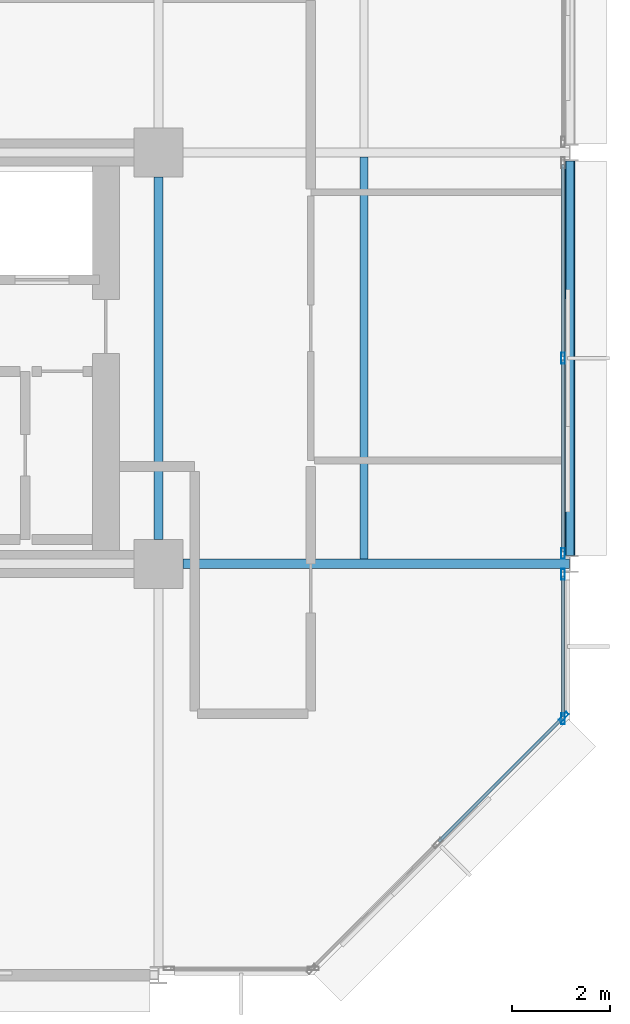
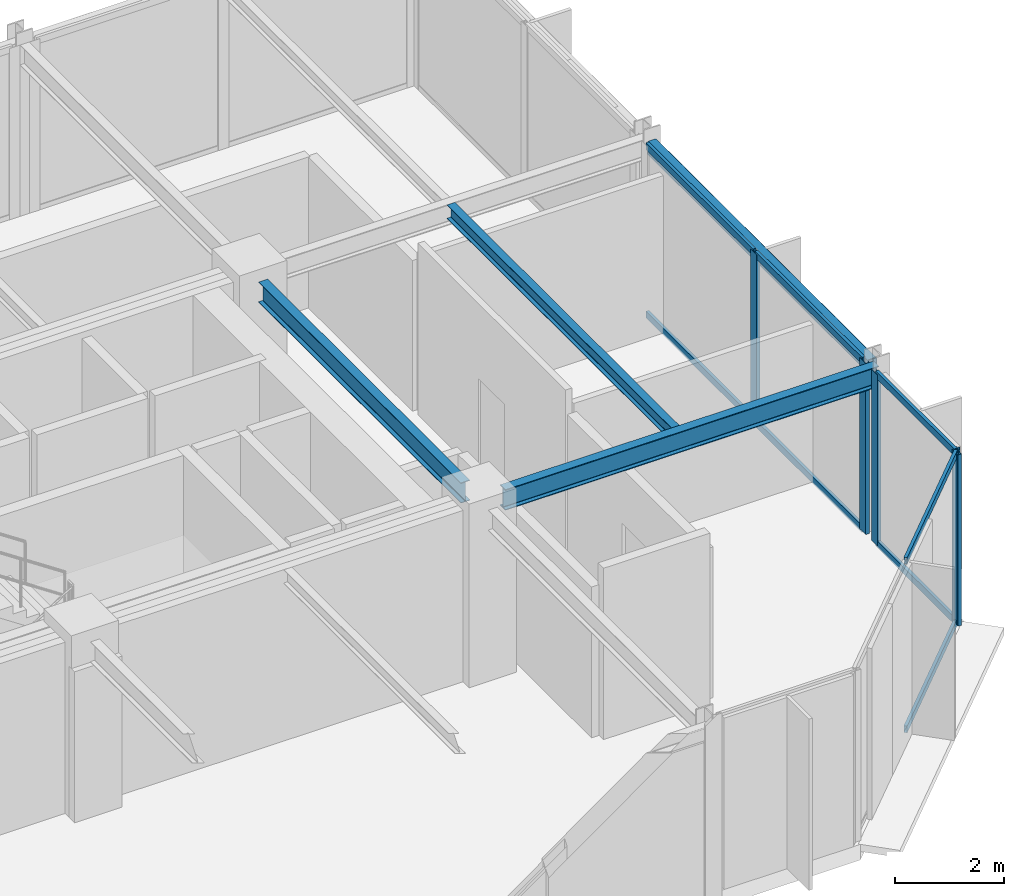
# One storey, part 8 of 21: 13 members, 4 beams, 3 elements without a shape of their own.
"""IFC4 building model written with IfcOpenShell, lengths in metres."""

from ifc_helpers import new_model, si_unit, direction, frame, origin, origin_2d, place, context, subcontext, project, spatial, hollow_rectangle, i_section, extrude, material, layer, layer_set, material_profile, profile_set, type_object, element, aggregate, save


model = new_model("IFC4")

# Units and contexts
model_context = context("Model", 3, precision=1e-05, world=origin(), true_north=direction((0.0, 1.0)))
body_context = subcontext(model_context, "Body", "Model", "MODEL_VIEW")
ifc_project = project(units=[si_unit("LENGTHUNIT", "METRE"), si_unit("AREAUNIT", "SQUARE_METRE"), si_unit("VOLUMEUNIT", "CUBIC_METRE"), si_unit("PLANEANGLEUNIT", "RADIAN"), si_unit("MASSUNIT", "GRAM", prefix="KILO")], contexts=[model_context])

# Site, building, storey
site_placement = place(None, origin())
site = spatial("IfcSite", under=ifc_project, at=site_placement, CompositionType="ELEMENT")
building_placement = place(site_placement, origin())
building = spatial("IfcBuilding", under=site, at=building_placement, Name="Nerrivon Quay Data Exchange", CompositionType="ELEMENT")
storey_placement = place(building_placement, frame((0.0, 0.0, 220.60009765625)))
storey = spatial("IfcBuildingStorey", under=building, at=storey_placement, Name="L52", CompositionType="ELEMENT", Elevation=220.60009765625)

# Beams
ifc_material_1 = material(Name="Steel Grade 350", Category="steel")
ifc_material_profile_1 = material_profile(ifc_material_1, i_section(OverallWidth=0.19091796875, OverallDepth=0.4599609375, WebThickness=0.010009765625, FlangeThickness=0.01611328125, FilletRadius=0.011474609375, at=origin_2d()), Name="460UB82.1")
ifc_profile_set_1 = profile_set([ifc_material_profile_1], Name="Steel Grade 350")
beam_type_1 = type_object("IfcBeamType", Name="BM-G5-460UB82", PredefinedType="BEAM", material=ifc_profile_set_1)
beam_1_placement = place(storey_placement, frame((34.10009765625, 8.39990234375, 3.594970703125), z_axis=(1.0, 0.0, 0.0), x_axis=(0.0, 1.0, 0.0)))
element("IfcBeam", 1, at=beam_1_placement, inside=storey, type_object=beam_type_1, Name="L52 EW Girder Y=8.4 (33.6..42.0)", PredefinedType="BEAM", context=body_context, shape_type="SweptSolid", body=[
    extrude(i_section(OverallWidth=0.19091796875, OverallDepth=0.4599609375, WebThickness=0.010009765625, FlangeThickness=0.01611328125, FilletRadius=0.011474609375, at=origin_2d()), origin(), (0.0, 0.0, 1.0), 7.889892578125),
])
ifc_material_profile_2 = material_profile(ifc_material_1, i_section(OverallWidth=0.18994140625, OverallDepth=0.4541015625, WebThickness=0.008544921875, FlangeThickness=0.0126953125, FilletRadius=0.011474609375, at=origin_2d()), Name="460UB67.1")
ifc_profile_set_2 = profile_set([ifc_material_profile_2], Name="Steel Grade 350")
beam_type_2 = type_object("IfcBeamType", Name="BM-G6-460UB67", PredefinedType="BEAM", material=ifc_profile_set_2)
beam_2_placement = place(storey_placement, frame((33.60009765625, 8.89990234375, 3.597900390625), z_axis=(0.0, 1.0, 0.0), x_axis=(-1.0, 0.0, 0.0)))
element("IfcBeam", 2, at=beam_2_placement, inside=storey, type_object=beam_type_2, Name="L52 NS Girder X=33.6 (8.4..16.8)", PredefinedType="BEAM", context=body_context, shape_type="SweptSolid", body=[
    extrude(i_section(OverallWidth=0.18994140625, OverallDepth=0.4541015625, WebThickness=0.008544921875, FlangeThickness=0.0126953125, FilletRadius=0.011474609375, at=origin_2d()), origin(), (0.0, 0.0, 1.0), 7.400146484375),
])
ifc_material_profile_3 = material_profile(ifc_material_1, i_section(OverallWidth=0.166015625, OverallDepth=0.306884765625, WebThickness=0.006591796875, FlangeThickness=0.01171875, FilletRadius=0.011474609375, at=origin_2d()), Name="310UB46.2")
ifc_profile_set_3 = profile_set([ifc_material_profile_3], Name="Steel Grade 350")
beam_type_3 = type_object("IfcBeamType", Name="BM-J5-310UB46", PredefinedType="JOIST", material=ifc_profile_set_3)
beam_3_placement = place(storey_placement, frame((37.800048828125, 8.49560546875, 3.67138671875), z_axis=(0.0, 1.0, 0.0), x_axis=(-1.0, 0.0, 0.0)))
element("IfcBeam", 3, at=beam_3_placement, inside=storey, type_object=beam_type_3, Name="L52 Secondary Joist X=37.8 (8.4..16.8)", PredefinedType="JOIST", context=body_context, shape_type="SweptSolid", body=[
    extrude(i_section(OverallWidth=0.166015625, OverallDepth=0.306884765625, WebThickness=0.006591796875, FlangeThickness=0.01171875, FilletRadius=0.011474609375, at=origin_2d()), origin(), (0.0, 0.0, 1.0), 8.208984375),
])
ifc_material_2 = material(Name="Steel Grade C350L0 (350 MPa)", Category="steel")
ifc_material_profile_4 = material_profile(ifc_material_2, hollow_rectangle(XDim=0.199951171875, YDim=0.300048828125, WallThickness=0.012451171875, InnerFilletRadius=0.018798828125, OuterFilletRadius=0.03125, at=origin_2d()), Name="300x200x12.5RHS")
ifc_profile_set_4 = profile_set([ifc_material_profile_4], Name="Steel Grade C350L0 (350 MPa)")
beam_type_4 = type_object("IfcBeamType", Name="BM-SP3-300x200RHS", PredefinedType="SPANDREL", material=ifc_profile_set_4)
beam_4_placement = place(storey_placement, frame((42.0, 8.574951171875, 3.6748046875), z_axis=(0.0, 1.0, 0.0), x_axis=(-1.0, 0.0, 0.0)))
element("IfcBeam", 4, at=beam_4_placement, inside=storey, type_object=beam_type_4, Name="L52 NS Girder X=42.0 (8.4..16.8)", PredefinedType="SPANDREL", context=body_context, shape_type="SweptSolid", body=[
    extrude(hollow_rectangle(XDim=0.199951171875, YDim=0.300048828125, WallThickness=0.012451171875, InnerFilletRadius=0.018798828125, OuterFilletRadius=0.03125, at=origin_2d()), origin(), (0.0, 0.0, 1.0), 8.050048828125),
])

# Curtain wall, member
ifc_material_3 = material(Name="Anodised aluminium 6063-T6", Category="aluminium")
ifc_layer = layer(ifc_material_3, 0.22998046875)
ifc_layer_set = layer_set([ifc_layer], Name="Anodised aluminium 6063-T6")
curtain_wall_type = type_object("IfcCurtainWallType", Name="CW-SYS-05", PredefinedType="NOTDEFINED", material=ifc_layer_set)
curtain_wall_1_placement = place(storey_placement, origin())
curtain_wall_1 = element("IfcCurtainWall", 5, at=curtain_wall_1_placement, inside=storey, type_object=curtain_wall_type, Name="L52 Unitised Curtain Wall 1", PredefinedType="NOTDEFINED")
ifc_material_profile_5 = material_profile(ifc_material_3, hollow_rectangle(XDim=0.074951171875, YDim=0.219970703125, WallThickness=0.00390625, at=origin_2d()), Name="ALU-MULL-220x75")
ifc_profile_set_5 = profile_set([ifc_material_profile_5], Name="Anodised aluminium 6063-T6")
member_type_1 = type_object("IfcMemberType", Name="CWM-220x75", PredefinedType="MULLION", material=ifc_profile_set_5)
member_1_placement = place(storey_placement, frame((41.87451171875, 5.2724609375, 0.0), z_axis=(0.0, 0.0, 1.0), x_axis=(0.707106781187, -0.707106781187, 0.0)))
member_1 = element("IfcMember", 6, at=member_1_placement, type_object=member_type_1, Name="CW05 mullion 1", PredefinedType="MULLION", context=body_context, shape_type="SweptSolid", body=[
    extrude(hollow_rectangle(XDim=0.074951171875, YDim=0.219970703125, WallThickness=0.00390625, at=origin_2d()), origin(), (0.0, 0.0, 1.0), 3.824951171875),
])

# Curtain wall, members
curtain_wall_2_placement = place(storey_placement, origin())
curtain_wall_2 = element("IfcCurtainWall", 7, at=curtain_wall_2_placement, inside=storey, type_object=curtain_wall_type, Name="L52 Unitised Curtain Wall 27", PredefinedType="NOTDEFINED")
member_2_placement = place(storey_placement, frame((41.860107421875, 12.60009765625, 0.0), z_axis=(0.0, 0.0, 1.0), x_axis=(1.0, 0.0, 0.0)))
member_2 = element("IfcMember", 8, at=member_2_placement, type_object=member_type_1, Name="CW05 mullion 2", PredefinedType="MULLION", context=body_context, shape_type="SweptSolid", body=[
    extrude(hollow_rectangle(XDim=0.074951171875, YDim=0.219970703125, WallThickness=0.00390625, at=origin_2d()), origin(), (0.0, 0.0, 1.0), 3.824951171875),
])
member_3_placement = place(storey_placement, frame((41.860107421875, 8.612548828125, 0.0), z_axis=(0.0, 0.0, 1.0), x_axis=(1.0, 0.0, 0.0)))
member_3 = element("IfcMember", 9, at=member_3_placement, type_object=member_type_1, Name="CW05 mullion 3", PredefinedType="MULLION", context=body_context, shape_type="SweptSolid", body=[
    extrude(hollow_rectangle(XDim=0.074951171875, YDim=0.219970703125, WallThickness=0.00390625, at=origin_2d()), origin(), (0.0, 0.0, 1.0), 3.824951171875),
])

curtain_wall_3_placement = place(storey_placement, origin())
curtain_wall_3 = element("IfcCurtainWall", 10, at=curtain_wall_3_placement, inside=storey, type_object=curtain_wall_type, Name="L52 Unitised Curtain Wall 28", PredefinedType="NOTDEFINED")
member_4_placement = place(storey_placement, frame((41.860107421875, 8.1875, 0.0), z_axis=(0.0, 0.0, 1.0), x_axis=(1.0, 0.0, 0.0)))
member_4 = element("IfcMember", 11, at=member_4_placement, type_object=member_type_1, Name="CW05 mullion 1", PredefinedType="MULLION", context=body_context, shape_type="SweptSolid", body=[
    extrude(hollow_rectangle(XDim=0.074951171875, YDim=0.219970703125, WallThickness=0.00390625, at=origin_2d()), origin(), (0.0, 0.0, 1.0), 3.824951171875),
])
member_5_placement = place(storey_placement, frame((41.860107421875, 5.237548828125, 0.0), z_axis=(0.0, 0.0, 1.0), x_axis=(1.0, 0.0, 0.0)))
member_5 = element("IfcMember", 12, at=member_5_placement, type_object=member_type_1, Name="CW05 mullion 2", PredefinedType="MULLION", context=body_context, shape_type="SweptSolid", body=[
    extrude(hollow_rectangle(XDim=0.074951171875, YDim=0.219970703125, WallThickness=0.00390625, at=origin_2d()), origin(), (0.0, 0.0, 1.0), 3.824951171875),
])

# Member
ifc_material_profile_6 = material_profile(ifc_material_3, hollow_rectangle(XDim=0.06494140625, YDim=0.14990234375, WallThickness=0.00341796875, at=origin_2d()), Name="ALU-TRAN-150x65")
ifc_profile_set_6 = profile_set([ifc_material_profile_6], Name="Anodised aluminium 6063-T6")
member_type_2 = type_object("IfcMemberType", Name="CWT-150x65", PredefinedType="USERDEFINED", material=ifc_profile_set_6)
member_6_placement = place(storey_placement, frame((41.847900390625, 5.245849609375, 0.032470703125), z_axis=(-0.707106781187, -0.707106781187, 0.0), x_axis=(0.707106781187, -0.707106781187, 0.0)))
member_6 = element("IfcMember", 13, at=member_6_placement, type_object=member_type_2, Name="CW05 transom 1.1", ObjectType="TRANSOM", PredefinedType="USERDEFINED", context=body_context, shape_type="SweptSolid", body=[
    extrude(hollow_rectangle(XDim=0.06494140625, YDim=0.14990234375, WallThickness=0.00341796875, at=origin_2d()), origin(), (0.0, 0.0, 1.0), 3.564208984375),
])

member_7_placement = place(storey_placement, frame((41.847900390625, 5.245849609375, 3.79248046875), z_axis=(-0.707106781187, -0.707106781187, 0.0), x_axis=(0.707106781187, -0.707106781187, 0.0)))
member_7 = element("IfcMember", 14, at=member_7_placement, type_object=member_type_2, Name="CW05 transom 1.2", ObjectType="TRANSOM", PredefinedType="USERDEFINED", context=body_context, shape_type="SweptSolid", body=[
    extrude(hollow_rectangle(XDim=0.06494140625, YDim=0.14990234375, WallThickness=0.00341796875, at=origin_2d()), origin(), (0.0, 0.0, 1.0), 3.564208984375),
])

aggregate(curtain_wall_1, [member_1, member_6, member_7])

member_8_placement = place(storey_placement, frame((41.860107421875, 16.550048828125, 0.032470703125), z_axis=(0.0, -1.0, 0.0), x_axis=(1.0, 0.0, 0.0)))
member_8 = element("IfcMember", 15, at=member_8_placement, type_object=member_type_2, Name="CW05 transom 1.1", ObjectType="TRANSOM", PredefinedType="USERDEFINED", context=body_context, shape_type="SweptSolid", body=[
    extrude(hollow_rectangle(XDim=0.06494140625, YDim=0.14990234375, WallThickness=0.00341796875, at=origin_2d()), origin(), (0.0, 0.0, 1.0), 3.91259765625),
])

member_9_placement = place(storey_placement, frame((41.860107421875, 16.550048828125, 3.79248046875), z_axis=(0.0, -1.0, 0.0), x_axis=(1.0, 0.0, 0.0)))
member_9 = element("IfcMember", 16, at=member_9_placement, type_object=member_type_2, Name="CW05 transom 1.2", ObjectType="TRANSOM", PredefinedType="USERDEFINED", context=body_context, shape_type="SweptSolid", body=[
    extrude(hollow_rectangle(XDim=0.06494140625, YDim=0.14990234375, WallThickness=0.00341796875, at=origin_2d()), origin(), (0.0, 0.0, 1.0), 3.91259765625),
])

member_10_placement = place(storey_placement, frame((41.860107421875, 12.5625, 0.032470703125), z_axis=(0.0, -1.0, 0.0), x_axis=(1.0, 0.0, 0.0)))
member_10 = element("IfcMember", 17, at=member_10_placement, type_object=member_type_2, Name="CW05 transom 2.1", ObjectType="TRANSOM", PredefinedType="USERDEFINED", context=body_context, shape_type="SweptSolid", body=[
    extrude(hollow_rectangle(XDim=0.06494140625, YDim=0.14990234375, WallThickness=0.00341796875, at=origin_2d()), origin(), (0.0, 0.0, 1.0), 3.91259765625),
])

member_11_placement = place(storey_placement, frame((41.860107421875, 12.5625, 3.79248046875), z_axis=(0.0, -1.0, 0.0), x_axis=(1.0, 0.0, 0.0)))
member_11 = element("IfcMember", 18, at=member_11_placement, type_object=member_type_2, Name="CW05 transom 2.2", ObjectType="TRANSOM", PredefinedType="USERDEFINED", context=body_context, shape_type="SweptSolid", body=[
    extrude(hollow_rectangle(XDim=0.06494140625, YDim=0.14990234375, WallThickness=0.00341796875, at=origin_2d()), origin(), (0.0, 0.0, 1.0), 3.91259765625),
])

aggregate(curtain_wall_2, [member_2, member_3, member_8, member_9, member_10, member_11])

member_12_placement = place(storey_placement, frame((41.860107421875, 8.14990234375, 0.032470703125), z_axis=(0.0, -1.0, 0.0), x_axis=(1.0, 0.0, 0.0)))
member_12 = element("IfcMember", 19, at=member_12_placement, type_object=member_type_2, Name="CW05 transom 1.1", ObjectType="TRANSOM", PredefinedType="USERDEFINED", context=body_context, shape_type="SweptSolid", body=[
    extrude(hollow_rectangle(XDim=0.06494140625, YDim=0.14990234375, WallThickness=0.00341796875, at=origin_2d()), origin(), (0.0, 0.0, 1.0), 2.875),
])

member_13_placement = place(storey_placement, frame((41.860107421875, 8.14990234375, 3.79248046875), z_axis=(0.0, -1.0, 0.0), x_axis=(1.0, 0.0, 0.0)))
member_13 = element("IfcMember", 20, at=member_13_placement, type_object=member_type_2, Name="CW05 transom 1.2", ObjectType="TRANSOM", PredefinedType="USERDEFINED", context=body_context, shape_type="SweptSolid", body=[
    extrude(hollow_rectangle(XDim=0.06494140625, YDim=0.14990234375, WallThickness=0.00341796875, at=origin_2d()), origin(), (0.0, 0.0, 1.0), 2.875),
])

aggregate(curtain_wall_3, [member_4, member_5, member_12, member_13])

save(model, "model.ifc")
